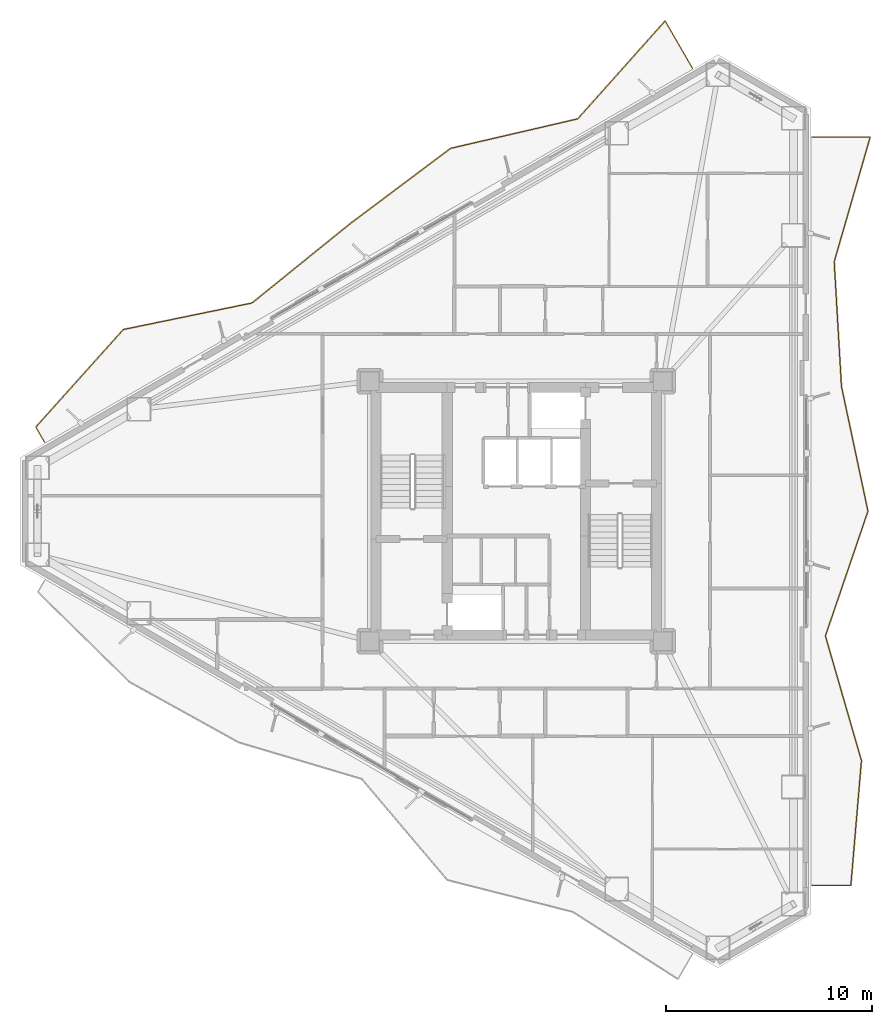
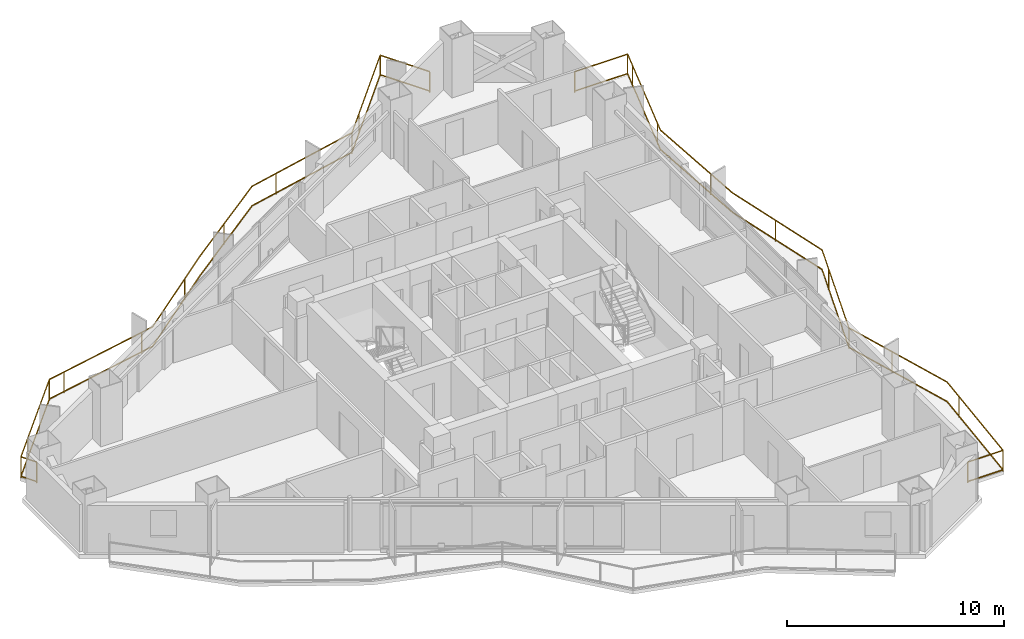
# One storey, part 22 of 22: 2 railings.
"""IFC4 building model written with IfcOpenShell, lengths in metres."""

from ifc_helpers import new_model, si_unit, direction, frame, origin, origin_2d, place, context, subcontext, project, spatial, rectangle, extrude, material, type_object, element, save


model = new_model("IFC4")

# Units and contexts
model_context = context("Model", 3, precision=1e-05, world=origin(), true_north=direction((0.0, 1.0)))
body_context = subcontext(model_context, "Body", "Model", "MODEL_VIEW")
ifc_project = project(units=[si_unit("LENGTHUNIT", "METRE"), si_unit("AREAUNIT", "SQUARE_METRE"), si_unit("VOLUMEUNIT", "CUBIC_METRE"), si_unit("PLANEANGLEUNIT", "RADIAN"), si_unit("MASSUNIT", "GRAM", prefix="KILO")], contexts=[model_context])

# Site, building, storey
site_placement = place(None, origin())
site = spatial("IfcSite", under=ifc_project, at=site_placement, CompositionType="ELEMENT")
building_placement = place(site_placement, origin())
building = spatial("IfcBuilding", under=site, at=building_placement, Name="Mersakhor Tower and Convention Hall", CompositionType="ELEMENT")
storey_placement = place(building_placement, frame((0.0, 0.0, 86.699951171875)))
storey = spatial("IfcBuildingStorey", under=building, at=storey_placement, Name="L23", CompositionType="ELEMENT", Elevation=86.699951171875)

# Railings
ifc_material = material(Name="Powder-coated galvanised steel and laminated glass balustrade", Category="steel")
railing_type = type_object("IfcRailingType", Name="RL-BAL-1200", PredefinedType="BALUSTRADE", material=ifc_material)
railing_1_placement = place(storey_placement, frame((37.541259765625, 48.2333984375, 0.0)))
element("IfcRailing", 1, at=railing_1_placement, inside=storey, type_object=railing_type, Name="L23 Sinusoidal Balcony Balustrade F1", PredefinedType="BALUSTRADE", context=body_context, shape_type="SweptSolid", body=[
    extrude(rectangle(XDim=0.048095703125, YDim=0.048095703125, at=origin_2d()), frame((0.0, 0.0, 1.17578125), z_axis=(-0.500012919964, 0.866017944311, 0.0), x_axis=(-0.866017944311, -0.500012919964, 0.0)), (0.0, 0.0, 1.0), 2.6435546875),
    extrude(rectangle(XDim=0.048095703125, YDim=0.048095703125, at=origin_2d()), frame((0.0, 0.0, 0.080078125), z_axis=(-0.500012919964, 0.866017944311, 0.0), x_axis=(-0.866017944311, -0.500012919964, 0.0)), (0.0, 0.0, 1.0), 2.6435546875),
    extrude(rectangle(XDim=0.048095703125, YDim=0.048095703125, at=origin_2d()), frame((-1.32177734375, 2.289306640625, 1.17578125), z_axis=(-0.665916694954, -0.746026109049, 0.0), x_axis=(0.746026109049, -0.665916694954, 0.0)), (0.0, 0.0, 1.0), 6.366455078125),
    extrude(rectangle(XDim=0.048095703125, YDim=0.048095703125, at=origin_2d()), frame((-1.32177734375, 2.289306640625, 0.080078125), z_axis=(-0.665916694954, -0.746026109049, 0.0), x_axis=(0.746026109049, -0.665916694954, 0.0)), (0.0, 0.0, 1.0), 6.366455078125),
    extrude(rectangle(XDim=0.048095703125, YDim=0.048095703125, at=origin_2d()), frame((-5.561279296875, -2.460205078125, 1.17578125), z_axis=(-0.974124238813, -0.226013201733, 0.0), x_axis=(0.226013201733, -0.974124238813, 0.0)), (0.0, 0.0, 1.0), 6.3203125),
    extrude(rectangle(XDim=0.048095703125, YDim=0.048095703125, at=origin_2d()), frame((-5.561279296875, -2.460205078125, 0.080078125), z_axis=(-0.974124238813, -0.226013201733, 0.0), x_axis=(0.226013201733, -0.974124238813, 0.0)), (0.0, 0.0, 1.0), 6.3203125),
    extrude(rectangle(XDim=0.048095703125, YDim=0.048095703125, at=origin_2d()), frame((-11.718017578125, -3.888671875, 1.17578125), z_axis=(-0.800317416975, -0.599576543976, 0.0), x_axis=(0.599576543976, -0.800317416975, 0.0)), (0.0, 0.0, 1.0), 6.089599609375),
    extrude(rectangle(XDim=0.048095703125, YDim=0.048095703125, at=origin_2d()), frame((-11.718017578125, -3.888671875, 0.080078125), z_axis=(-0.800317416975, -0.599576543976, 0.0), x_axis=(0.599576543976, -0.800317416975, 0.0)), (0.0, 0.0, 1.0), 6.089599609375),
    extrude(rectangle(XDim=0.048095703125, YDim=0.048095703125, at=origin_2d()), frame((-16.591552734375, -7.539794921875, 1.17578125), z_axis=(-0.777698901096, -0.628636953443, 0.0), x_axis=(0.628636953443, -0.777698901096, 0.0)), (0.0, 0.0, 1.0), 6.12060546875),
    extrude(rectangle(XDim=0.048095703125, YDim=0.048095703125, at=origin_2d()), frame((-16.591552734375, -7.539794921875, 0.080078125), z_axis=(-0.777698901096, -0.628636953443, 0.0), x_axis=(0.628636953443, -0.777698901096, 0.0)), (0.0, 0.0, 1.0), 6.12060546875),
    extrude(rectangle(XDim=0.048095703125, YDim=0.048095703125, at=origin_2d()), frame((-21.3515625, -11.387451171875, 1.17578125), z_axis=(-0.979417174725, -0.201846470997, 0.0), x_axis=(0.201846470997, -0.979417174725, 0.0)), (0.0, 0.0, 1.0), 6.37060546875),
    extrude(rectangle(XDim=0.048095703125, YDim=0.048095703125, at=origin_2d()), frame((-21.3515625, -11.387451171875, 0.080078125), z_axis=(-0.979417174725, -0.201846470997, 0.0), x_axis=(0.201846470997, -0.979417174725, 0.0)), (0.0, 0.0, 1.0), 6.37060546875),
    extrude(rectangle(XDim=0.048095703125, YDim=0.048095703125, at=origin_2d()), frame((-27.591064453125, -12.67333984375, 1.17578125), z_axis=(-0.667903745275, -0.744247665127, 0.0), x_axis=(0.744247665127, -0.667903745275, 0.0)), (0.0, 0.0, 1.0), 6.360595703125),
    extrude(rectangle(XDim=0.048095703125, YDim=0.048095703125, at=origin_2d()), frame((-27.591064453125, -12.67333984375, 0.080078125), z_axis=(-0.667903745275, -0.744247665127, 0.0), x_axis=(0.744247665127, -0.667903745275, 0.0)), (0.0, 0.0, 1.0), 6.360595703125),
    extrude(rectangle(XDim=0.048095703125, YDim=0.048095703125, at=origin_2d()), frame((-31.83935546875, -17.4072265625, 1.17578125), z_axis=(0.499839240638, -0.866118198353, 0.0), x_axis=(0.866118198353, 0.499839240638, 0.0)), (0.0, 0.0, 1.0), 0.844482421875),
    extrude(rectangle(XDim=0.048095703125, YDim=0.048095703125, at=origin_2d()), frame((-31.83935546875, -17.4072265625, 0.080078125), z_axis=(0.499839240638, -0.866118198353, 0.0), x_axis=(0.866118198353, 0.499839240638, 0.0)), (0.0, 0.0, 1.0), 0.844482421875),
    extrude(rectangle(XDim=0.0419921875, YDim=0.0419921875, at=origin_2d()), origin(), (0.0, 0.0, 1.0), 1.15185546875),
    extrude(rectangle(XDim=0.0419921875, YDim=0.0419921875, at=origin_2d()), frame((-1.32177734375, 2.289306640625, 0.0)), (0.0, 0.0, 1.0), 1.15185546875),
    extrude(rectangle(XDim=0.0419921875, YDim=0.0419921875, at=origin_2d()), frame((-4.51806640625, -1.29150390625, 0.0)), (0.0, 0.0, 1.0), 1.15185546875),
    extrude(rectangle(XDim=0.0419921875, YDim=0.0419921875, at=origin_2d()), frame((-5.561279296875, -2.460205078125, 0.0)), (0.0, 0.0, 1.0), 1.15185546875),
    extrude(rectangle(XDim=0.0419921875, YDim=0.0419921875, at=origin_2d()), frame((-10.237060546875, -3.545166015625, 0.0)), (0.0, 0.0, 1.0), 1.15185546875),
    extrude(rectangle(XDim=0.0419921875, YDim=0.0419921875, at=origin_2d()), frame((-14.3427734375, -5.855224609375, 0.0)), (0.0, 0.0, 1.0), 1.15185546875),
    extrude(rectangle(XDim=0.0419921875, YDim=0.0419921875, at=origin_2d()), frame((-18.139404296875, -8.791015625, 0.0)), (0.0, 0.0, 1.0), 1.15185546875),
    extrude(rectangle(XDim=0.0419921875, YDim=0.0419921875, at=origin_2d()), frame((-22.00732421875, -11.522705078125, 0.0)), (0.0, 0.0, 1.0), 1.15185546875),
    extrude(rectangle(XDim=0.0419921875, YDim=0.0419921875, at=origin_2d()), frame((-26.70849609375, -12.491455078125, 0.0)), (0.0, 0.0, 1.0), 1.15185546875),
    extrude(rectangle(XDim=0.0419921875, YDim=0.0419921875, at=origin_2d()), frame((-27.591064453125, -12.67333984375, 0.0)), (0.0, 0.0, 1.0), 1.15185546875),
    extrude(rectangle(XDim=0.0419921875, YDim=0.0419921875, at=origin_2d()), frame((-30.797119140625, -16.245849609375, 0.0)), (0.0, 0.0, 1.0), 1.15185546875),
    extrude(rectangle(XDim=0.0419921875, YDim=0.0419921875, at=origin_2d()), frame((-31.83935546875, -17.4072265625, 0.0)), (0.0, 0.0, 1.0), 1.15185546875),
    extrude(rectangle(XDim=0.0419921875, YDim=0.0419921875, at=origin_2d()), frame((-31.417236328125, -18.138671875, 0.0)), (0.0, 0.0, 1.0), 1.15185546875),
])
railing_2_placement = place(storey_placement, frame((43.334716796875, 8.611328125, 0.0)))
element("IfcRailing", 2, at=railing_2_placement, inside=storey, type_object=railing_type, Name="L23 Sinusoidal Balcony Balustrade F2", PredefinedType="BALUSTRADE", context=body_context, shape_type="SweptSolid", body=[
    extrude(rectangle(XDim=0.048095703125, YDim=0.048095703125, at=origin_2d()), frame((0.0, 0.0, 1.17578125), z_axis=(1.0, 0.0, 0.0), x_axis=(0.0, 1.0, 0.0)), (0.0, 0.0, 1.0), 1.884033203125),
    extrude(rectangle(XDim=0.048095703125, YDim=0.048095703125, at=origin_2d()), frame((0.0, 0.0, 0.080078125), z_axis=(1.0, 0.0, 0.0), x_axis=(0.0, 1.0, 0.0)), (0.0, 0.0, 1.0), 1.884033203125),
    extrude(rectangle(XDim=0.048095703125, YDim=0.048095703125, at=origin_2d()), frame((1.884033203125, 0.0, 1.17578125), z_axis=(0.084613700209, 0.996413830563, 0.0), x_axis=(-0.996413830563, 0.084613700209, 0.0)), (0.0, 0.0, 1.0), 6.06787109375),
    extrude(rectangle(XDim=0.048095703125, YDim=0.048095703125, at=origin_2d()), frame((1.884033203125, 0.0, 0.080078125), z_axis=(0.084613700209, 0.996413830563, 0.0), x_axis=(-0.996413830563, 0.084613700209, 0.0)), (0.0, 0.0, 1.0), 6.06787109375),
    extrude(rectangle(XDim=0.048095703125, YDim=0.048095703125, at=origin_2d()), frame((2.3974609375, 6.046142578125, 1.17578125), z_axis=(-0.277660582839, 0.960679239256, 0.0), x_axis=(-0.960679239256, -0.277660582839, 0.0)), (0.0, 0.0, 1.0), 6.2939453125),
    extrude(rectangle(XDim=0.048095703125, YDim=0.048095703125, at=origin_2d()), frame((2.3974609375, 6.046142578125, 0.080078125), z_axis=(-0.277660582839, 0.960679239256, 0.0), x_axis=(-0.960679239256, -0.277660582839, 0.0)), (0.0, 0.0, 1.0), 6.2939453125),
    extrude(rectangle(XDim=0.048095703125, YDim=0.048095703125, at=origin_2d()), frame((0.64990234375, 12.092529296875, 1.17578125), z_axis=(0.322995263869, 0.946400580895, 0.0), x_axis=(-0.946400580895, 0.322995263869, 0.0)), (0.0, 0.0, 1.0), 6.388671875),
    extrude(rectangle(XDim=0.048095703125, YDim=0.048095703125, at=origin_2d()), frame((0.64990234375, 12.092529296875, 0.080078125), z_axis=(0.322995263869, 0.946400580895, 0.0), x_axis=(-0.946400580895, 0.322995263869, 0.0)), (0.0, 0.0, 1.0), 6.388671875),
    extrude(rectangle(XDim=0.048095703125, YDim=0.048095703125, at=origin_2d()), frame((2.71337890625, 18.138671875, 1.17578125), z_axis=(-0.207724119027, 0.978187451552, 0.0), x_axis=(-0.978187451552, -0.207724119027, 0.0)), (0.0, 0.0, 1.0), 6.180908203125),
    extrude(rectangle(XDim=0.048095703125, YDim=0.048095703125, at=origin_2d()), frame((2.71337890625, 18.138671875, 0.080078125), z_axis=(-0.207724119027, 0.978187451552, 0.0), x_axis=(-0.978187451552, -0.207724119027, 0.0)), (0.0, 0.0, 1.0), 6.180908203125),
    extrude(rectangle(XDim=0.048095703125, YDim=0.048095703125, at=origin_2d()), frame((1.429443359375, 24.184814453125, 1.17578125), z_axis=(-0.058367576168, 0.998295159786, 0.0), x_axis=(-0.998295159786, -0.058367576168, 0.0)), (0.0, 0.0, 1.0), 6.056640625),
    extrude(rectangle(XDim=0.048095703125, YDim=0.048095703125, at=origin_2d()), frame((1.429443359375, 24.184814453125, 0.080078125), z_axis=(-0.058367576168, 0.998295159786, 0.0), x_axis=(-0.998295159786, -0.058367576168, 0.0)), (0.0, 0.0, 1.0), 6.056640625),
    extrude(rectangle(XDim=0.048095703125, YDim=0.048095703125, at=origin_2d()), frame((1.075927734375, 30.231201171875, 1.17578125), z_axis=(0.277133788015, 0.960831339799, 0.0), x_axis=(-0.960831339799, 0.277133788015, 0.0)), (0.0, 0.0, 1.0), 6.292724609375),
    extrude(rectangle(XDim=0.048095703125, YDim=0.048095703125, at=origin_2d()), frame((1.075927734375, 30.231201171875, 0.080078125), z_axis=(0.277133788015, 0.960831339799, 0.0), x_axis=(-0.960831339799, 0.277133788015, 0.0)), (0.0, 0.0, 1.0), 6.292724609375),
    extrude(rectangle(XDim=0.048095703125, YDim=0.048095703125, at=origin_2d()), frame((2.81982421875, 36.27734375, 1.17578125), z_axis=(-1.0, 0.0, 0.0), x_axis=(0.0, -1.0, 0.0)), (0.0, 0.0, 1.0), 2.81982421875),
    extrude(rectangle(XDim=0.048095703125, YDim=0.048095703125, at=origin_2d()), frame((2.81982421875, 36.27734375, 0.080078125), z_axis=(-1.0, 0.0, 0.0), x_axis=(0.0, -1.0, 0.0)), (0.0, 0.0, 1.0), 2.81982421875),
    extrude(rectangle(XDim=0.0419921875, YDim=0.0419921875, at=origin_2d()), origin(), (0.0, 0.0, 1.0), 1.15185546875),
    extrude(rectangle(XDim=0.0419921875, YDim=0.0419921875, at=origin_2d()), frame((1.884033203125, 0.0, 0.0)), (0.0, 0.0, 1.0), 1.15185546875),
    extrude(rectangle(XDim=0.0419921875, YDim=0.0419921875, at=origin_2d()), frame((2.290283203125, 4.78271484375, 0.0)), (0.0, 0.0, 1.0), 1.15185546875),
    extrude(rectangle(XDim=0.0419921875, YDim=0.0419921875, at=origin_2d()), frame((1.416748046875, 9.439453125, 0.0)), (0.0, 0.0, 1.0), 1.15185546875),
    extrude(rectangle(XDim=0.0419921875, YDim=0.0419921875, at=origin_2d()), frame((0.64990234375, 12.092529296875, 0.0)), (0.0, 0.0, 1.0), 1.15185546875),
    extrude(rectangle(XDim=0.0419921875, YDim=0.0419921875, at=origin_2d()), frame((2.2001953125, 16.63525390625, 0.0)), (0.0, 0.0, 1.0), 1.15185546875),
    extrude(rectangle(XDim=0.0419921875, YDim=0.0419921875, at=origin_2d()), frame((2.04638671875, 21.280029296875, 0.0)), (0.0, 0.0, 1.0), 1.15185546875),
    extrude(rectangle(XDim=0.0419921875, YDim=0.0419921875, at=origin_2d()), frame((1.322509765625, 26.01220703125, 0.0)), (0.0, 0.0, 1.0), 1.15185546875),
    extrude(rectangle(XDim=0.0419921875, YDim=0.0419921875, at=origin_2d()), frame((1.23486328125, 30.782470703125, 0.0)), (0.0, 0.0, 1.0), 1.15185546875),
    extrude(rectangle(XDim=0.0419921875, YDim=0.0419921875, at=origin_2d()), frame((2.565185546875, 35.39453125, 0.0)), (0.0, 0.0, 1.0), 1.15185546875),
    extrude(rectangle(XDim=0.0419921875, YDim=0.0419921875, at=origin_2d()), frame((2.81982421875, 36.27734375, 0.0)), (0.0, 0.0, 1.0), 1.15185546875),
    extrude(rectangle(XDim=0.0419921875, YDim=0.0419921875, at=origin_2d()), frame((0.0, 36.27734375, 0.0)), (0.0, 0.0, 1.0), 1.15185546875),
])

save(model, "model.ifc")
